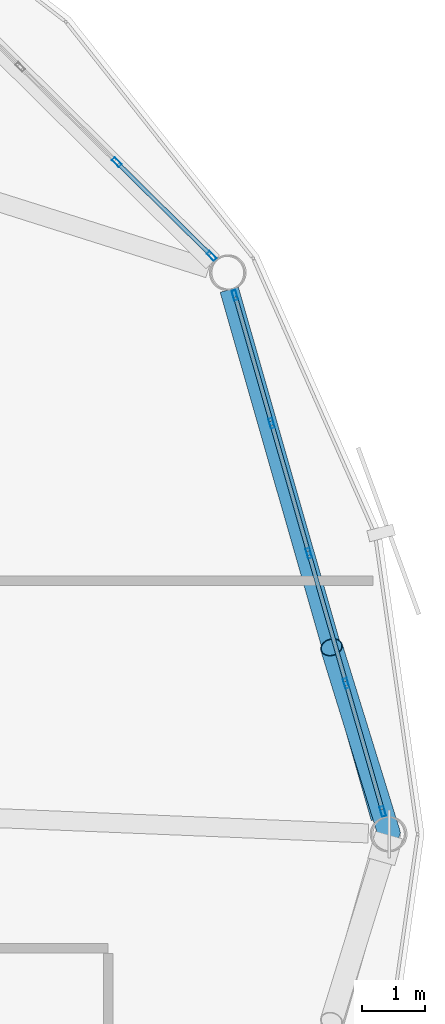
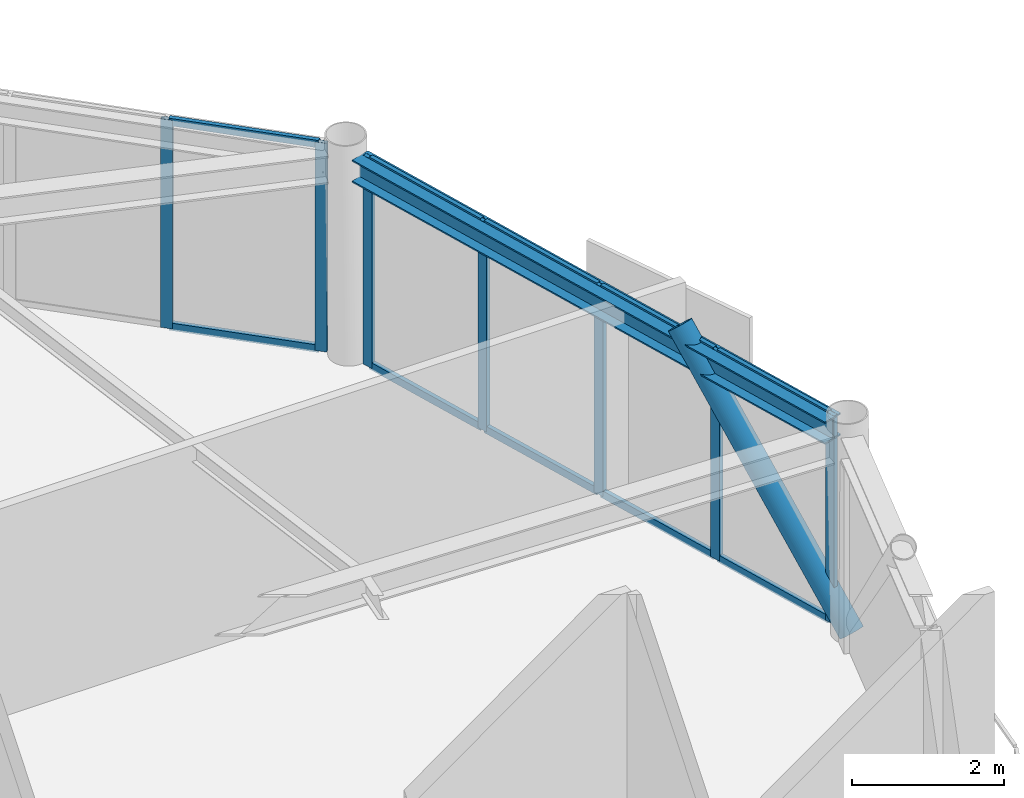
# One storey, part 16 of 26: 18 members, 1 beam, 2 elements without a shape of their own.
"""IFC4 building model written with IfcOpenShell, lengths in metres."""

import ifcopenshell
import ifcopenshell.guid

model = None  # the IFC model being written
_history = None  # IfcOwnerHistory: only IFC2X3 demands one
_inside = {}  # id of a spatial element -> (the spatial element, [elements in it])
_under = {}  # id of a project, library or spatial element -> (it, [spatial elements below it])
_declared = {}  # id of a project -> (the project, [libraries it declares])
_typed = {}  # id of a type object -> (the type object, [elements of that type])
_made_of = {}  # id of a material, layer set ... -> (it, [elements and type objects made of it])


def new_model(schema):
    """Start an empty IFC model of exactly this schema.

    Asked for "IFC4X3", IfcOpenShell would pick the latest addendum, in which some entities
    have other attributes; the version numbers below select the first issue.
    IFC2X3 requires an IfcOwnerHistory on every rooted entity: one is made here for all.
    """
    global model, _history
    if schema == "IFC4X3":
        model = ifcopenshell.file(schema_version=(4, 3, 0, 0))
    else:
        model = ifcopenshell.file(schema=schema)
    _inside.clear()
    _under.clear()
    _declared.clear()
    _typed.clear()
    _made_of.clear()
    _history = None
    if model.schema == "IFC2X3":
        org = make("IfcOrganization", Name="unknown")
        user = make(
            "IfcPersonAndOrganization",
            ThePerson=make("IfcPerson", FamilyName="unknown"),
            TheOrganization=org,
        )
        app = make(
            "IfcApplication",
            ApplicationDeveloper=org,
            Version="unknown",
            ApplicationFullName="unknown",
            ApplicationIdentifier="unknown",
        )
        _history = make(
            "IfcOwnerHistory",
            OwningUser=user,
            OwningApplication=app,
            ChangeAction="ADDED",
            CreationDate=0,
        )
    return model


def make(cls, **values):
    """One entity of the class cls with the attributes given. An attribute that is None is left unset."""
    return model.create_entity(
        cls, **{name: value for name, value in values.items() if value is not None}
    )


def rooted(cls, **values):
    """An entity with a GlobalId (a new one), such as an element, a storey or a relation."""
    return make(cls, GlobalId=ifcopenshell.guid.new(), OwnerHistory=_history, **values)


def si_unit(unit_type, name, prefix=None):
    """IfcSIUnit, for example si_unit("LENGTHUNIT", "METRE", prefix="MILLI")."""
    return make("IfcSIUnit", UnitType=unit_type, Prefix=prefix, Name=name)


def assignment(units):
    """IfcUnitAssignment: the units of a project."""
    return None if units is None else make("IfcUnitAssignment", Units=units)


def point(xyz):
    """IfcCartesianPoint."""
    return None if xyz is None else make("IfcCartesianPoint", Coordinates=xyz)


def direction(xyz):
    """IfcDirection."""
    return None if xyz is None else make("IfcDirection", DirectionRatios=xyz)


def frame(location, z_axis=None, x_axis=None):
    """IfcAxis2Placement3D, a coordinate frame: its origin and axes. An axis left out is left unset."""
    return make(
        "IfcAxis2Placement3D",
        Location=point(location),
        Axis=direction(z_axis),
        RefDirection=direction(x_axis),
    )


def frame_2d(location, x_axis=None):
    """IfcAxis2Placement2D, a coordinate frame in the plane: its origin and x axis."""
    return make(
        "IfcAxis2Placement2D", Location=point(location), RefDirection=direction(x_axis)
    )


def origin():
    """The frame at (0, 0, 0) with its axes left unset."""
    return frame((0.0, 0.0, 0.0))


def origin_2d():
    """The frame at (0, 0) in the plane with its x axis left unset."""
    return frame_2d((0.0, 0.0))


def place(relative_to, where):
    """IfcLocalPlacement: puts the frame where relative to a parent placement (None: the world)."""
    return make(
        "IfcLocalPlacement", PlacementRelTo=relative_to, RelativePlacement=where
    )


def context(
    kind, dimensions, precision=None, world=None, true_north=None, identifier=None
):
    """IfcGeometricRepresentationContext, for example the 3D "Model" context."""
    return make(
        "IfcGeometricRepresentationContext",
        ContextIdentifier=identifier,
        ContextType=kind,
        CoordinateSpaceDimension=dimensions,
        Precision=precision,
        WorldCoordinateSystem=world,
        TrueNorth=true_north,
    )


def subcontext(parent, identifier, kind, view, scale=None):
    """IfcGeometricRepresentationSubContext, for example "Body" below "Model"."""
    return make(
        "IfcGeometricRepresentationSubContext",
        ContextIdentifier=identifier,
        ContextType=kind,
        ParentContext=parent,
        TargetScale=scale,
        TargetView=view,
    )


def project(units=None, contexts=None):
    """IfcProject with its units and contexts."""
    return rooted(
        "IfcProject",
        Name="project",
        RepresentationContexts=contexts,
        UnitsInContext=assignment(units),
    )


def spatial(cls, under=None, at=None, **own):
    """A site, building, storey or space (cls), placed at a placement, below another one or the project."""
    s = rooted(cls, ObjectPlacement=at, **own)
    if under is not None:
        _under.setdefault(under.id(), (under, []))[1].append(s)
    return s


def profile(cls, at=None, kind="AREA", **sizes):
    """A parametric profile (cls). Its sizes go by their IFC names, for example OverallWidth=200.0."""
    return make(cls, ProfileType=kind, Position=at, **sizes)


def hollow_rectangle(**sizes):
    """IfcRectangleHollowProfileDef."""
    return profile("IfcRectangleHollowProfileDef", **sizes)


def hollow_circle(**sizes):
    """IfcCircleHollowProfileDef."""
    return profile("IfcCircleHollowProfileDef", **sizes)


def i_section(**sizes):
    """IfcIShapeProfileDef."""
    return profile("IfcIShapeProfileDef", **sizes)


def extrude(swept, where, along, depth):
    """IfcExtrudedAreaSolid: the profile swept, set in the frame where, extruded along a direction by depth."""
    return make(
        "IfcExtrudedAreaSolid",
        SweptArea=swept,
        Position=where,
        ExtrudedDirection=direction(along),
        Depth=depth,
    )


def shape(context_of_items, identifier, shape_type, items):
    """IfcShapeRepresentation: the items that make up one representation, for example the "Body"."""
    return make(
        "IfcShapeRepresentation",
        ContextOfItems=context_of_items,
        RepresentationIdentifier=identifier,
        RepresentationType=shape_type,
        Items=items,
    )


def material(Name=None, Category=None):
    """IfcMaterial."""
    return make("IfcMaterial", Name=Name, Category=Category)


def layer(
    of_material, thickness, ventilated=None, Name=None, Category=None, Priority=None
):
    """IfcMaterialLayer: one layer of a wall or slab, of a material (None: an air gap)."""
    return make(
        "IfcMaterialLayer",
        Material=of_material,
        LayerThickness=thickness,
        IsVentilated=ventilated,
        Name=Name,
        Category=Category,
        Priority=Priority,
    )


def layer_set(layers, Name=None):
    """IfcMaterialLayerSet."""
    return make("IfcMaterialLayerSet", MaterialLayers=layers, LayerSetName=Name)


def material_profile(
    of_material, cross_section, Name=None, Category=None, Priority=None
):
    """IfcMaterialProfile: a cross section and its material."""
    return make(
        "IfcMaterialProfile",
        Name=Name,
        Material=of_material,
        Profile=cross_section,
        Priority=Priority,
        Category=Category,
    )


def profile_set(profiles, Name=None, composite=None):
    """IfcMaterialProfileSet."""
    return make(
        "IfcMaterialProfileSet",
        Name=Name,
        MaterialProfiles=profiles,
        CompositeProfile=composite,
    )


def made_of(thing, what):
    """Note that an element or type object is made of a material, layer set ...; save() writes the relation."""
    if what is not None:
        _made_of.setdefault(what.id(), (what, []))[1].append(thing)
    return thing


def type_object(cls, material=None, **own):
    """A type object (cls), such as IfcWallType, which elements share."""
    return made_of(rooted(cls, **own), material)


def element(
    cls,
    number,
    at=None,
    inside=None,
    cuts=None,
    type_object=None,
    material=None,
    context=None,
    identifier="Body",
    shape_type=None,
    held_by="IfcProductDefinitionShape",
    body=None,
    shapes=None,
    **own,
):
    """One element of the class cls, such as IfcWall. Its Tag is "e" and its number.

    at: its placement. inside: the storey or other place that contains it. cuts: it is an
    opening in that element (IfcRelVoidsElement). A single representation is given by context,
    identifier, shape_type and body (its items); several are given by shapes. held_by: the class
    of the entity that holds the representations. save() writes the other relations.
    """
    e = rooted(cls, Tag="e%d" % number, ObjectPlacement=at, **own)
    if body is not None:
        shapes = [shape(context, identifier, shape_type, body)]
    if shapes is not None:
        e.Representation = make(held_by, Representations=shapes)
    if inside is not None:
        _inside.setdefault(inside.id(), (inside, []))[1].append(e)
    if cuts is not None:
        rooted(
            "IfcRelVoidsElement", RelatingBuildingElement=cuts, RelatedOpeningElement=e
        )
    if type_object is not None:
        _typed.setdefault(type_object.id(), (type_object, []))[1].append(e)
    return made_of(e, material)


def aggregate(whole, parts):
    """IfcRelAggregates: a whole, such as a stair, and the parts it consists of."""
    return rooted("IfcRelAggregates", RelatingObject=whole, RelatedObjects=parts)


def save(model, path):
    """Write the relations noted so far, then the file.

    IfcRelAggregates (storeys below a building ...), IfcRelContainedInSpatialStructure (elements
    in a storey), IfcRelDefinesByType, IfcRelAssociatesMaterial and IfcRelDeclares: one each for
    every whole, place, type object, material and project.
    """
    for whole, parts in _under.values():
        aggregate(whole, parts)
    for where, things in _inside.values():
        rooted(
            "IfcRelContainedInSpatialStructure",
            RelatedElements=things,
            RelatingStructure=where,
        )
    for kind, things in _typed.values():
        rooted("IfcRelDefinesByType", RelatedObjects=things, RelatingType=kind)
    for what, things in _made_of.values():
        rooted("IfcRelAssociatesMaterial", RelatedObjects=things, RelatingMaterial=what)
    for by, libraries in _declared.values():
        rooted("IfcRelDeclares", RelatingContext=by, RelatedDefinitions=libraries)
    model.write(path)


model = new_model("IFC4")

# Units and contexts
model_context = context("Model", 3, precision=1e-05, world=origin(), true_north=direction((0.0, 1.0)))
body_context = subcontext(model_context, "Body", "Model", "MODEL_VIEW")
ifc_project = project(units=[si_unit("LENGTHUNIT", "METRE"), si_unit("AREAUNIT", "SQUARE_METRE"), si_unit("VOLUMEUNIT", "CUBIC_METRE"), si_unit("PLANEANGLEUNIT", "RADIAN"), si_unit("MASSUNIT", "GRAM", prefix="KILO")], contexts=[model_context])

# Site, building, storey
site_placement = place(None, origin())
site = spatial("IfcSite", under=ifc_project, at=site_placement, CompositionType="ELEMENT")
building_placement = place(site_placement, origin())
building = spatial("IfcBuilding", under=site, at=building_placement, Name="Varnakorn Sky Granary", CompositionType="ELEMENT")
storey_placement = place(building_placement, frame((0.0, 0.0, 270.60009765625)))
storey = spatial("IfcBuildingStorey", under=building, at=storey_placement, Name="L69", CompositionType="ELEMENT", Elevation=270.60009765625)

# Beam
ifc_material_1 = material(Name="Steel S355JR", Category="steel")
ifc_material_profile_1 = material_profile(ifc_material_1, i_section(OverallWidth=0.300048828125, OverallDepth=0.360107421875, WebThickness=0.012451171875, FlangeThickness=0.0224609375, at=origin_2d()), Name="HE 360 B")
ifc_profile_set_1 = profile_set([ifc_material_profile_1], Name="Steel S355JR")
beam_type = type_object("IfcBeamType", Name="BM-SPD-Z5", PredefinedType="SPANDREL", material=ifc_profile_set_1)
beam_placement = place(storey_placement, frame((22.79833984375, 0.25439453125, 3.179931640625), z_axis=(-0.275014729466, 0.961440012989, 0.0), x_axis=(-0.961440012989, -0.275014729466, 0.0)))
element("IfcBeam", 1, at=beam_placement, inside=storey, type_object=beam_type, Name="Perimeter Spandrel Ring Beam RB01 L69", PredefinedType="SPANDREL", context=body_context, shape_type="SweptSolid", body=[
    extrude(i_section(OverallWidth=0.300048828125, OverallDepth=0.360107421875, WebThickness=0.012451171875, FlangeThickness=0.0224609375, at=origin_2d()), origin(), (0.0, 0.0, 1.0), 8.67578125),
])

# Curtain wall, members
ifc_material_2 = material(Name="Anodised Bronze Aluminium Alloy 6063-T6", Category="aluminium")
ifc_layer = layer(ifc_material_2, 0.159912109375, Name="Anodised Bronze Aluminium Alloy 6063-T6")
ifc_layer_set = layer_set([ifc_layer], Name="Anodised Bronze Aluminium Alloy 6063-T6")
curtain_wall_type = type_object("IfcCurtainWallType", Name="CW-OFF-1", PredefinedType="USERDEFINED", material=ifc_layer_set)
curtain_wall_1_placement = place(storey_placement, origin())
curtain_wall_1 = element("IfcCurtainWall", 2, at=curtain_wall_1_placement, inside=storey, type_object=curtain_wall_type, Name="Unitised Curtain Wall CW6 CW-L69-B01", ObjectType="CURTAIN WALL", PredefinedType="USERDEFINED")
ifc_material_profile_2 = material_profile(ifc_material_2, hollow_rectangle(XDim=0.06494140625, YDim=0.159912109375, WallThickness=0.00341796875, at=origin_2d()), Name="ALU MULL 65x160")
ifc_profile_set_2 = profile_set([ifc_material_profile_2], Name="Anodised Bronze Aluminium Alloy 6063-T6")
member_type_1 = type_object("IfcMemberType", Name="CW-OFF-1-MULL", PredefinedType="MULLION", material=ifc_profile_set_2)
member_1_placement = place(storey_placement, frame((20.5009765625, 8.50927734375, 0.0), z_axis=(0.0, 0.0, 1.0), x_axis=(0.96132319168, 0.275422804319, 0.0)))
member_1 = element("IfcMember", 3, at=member_1_placement, type_object=member_type_1, Name="CW6 mullion 1", PredefinedType="MULLION", context=body_context, shape_type="SweptSolid", body=[
    extrude(hollow_rectangle(XDim=0.06494140625, YDim=0.159912109375, WallThickness=0.00341796875, at=origin_2d()), origin(), (0.0, 0.0, 1.0), 3.35986328125),
])
member_2_placement = place(storey_placement, frame((21.08056640625, 6.487060546875, 0.0), z_axis=(0.0, 0.0, 1.0), x_axis=(0.96132319168, 0.275422804319, 0.0)))
member_2 = element("IfcMember", 4, at=member_2_placement, type_object=member_type_1, Name="CW6 mullion 2", PredefinedType="MULLION", context=body_context, shape_type="SweptSolid", body=[
    extrude(hollow_rectangle(XDim=0.06494140625, YDim=0.159912109375, WallThickness=0.00341796875, at=origin_2d()), origin(), (0.0, 0.0, 1.0), 3.35986328125),
])
member_3_placement = place(storey_placement, frame((21.668701171875, 4.43359375, 0.0), z_axis=(0.0, 0.0, 1.0), x_axis=(0.96132319168, 0.275422804319, 0.0)))
member_3 = element("IfcMember", 5, at=member_3_placement, type_object=member_type_1, Name="CW6 mullion 3", PredefinedType="MULLION", context=body_context, shape_type="SweptSolid", body=[
    extrude(hollow_rectangle(XDim=0.06494140625, YDim=0.159912109375, WallThickness=0.00341796875, at=origin_2d()), origin(), (0.0, 0.0, 1.0), 3.35986328125),
])
member_4_placement = place(storey_placement, frame((22.257080078125, 2.3798828125, 0.0), z_axis=(0.0, 0.0, 1.0), x_axis=(0.96132319168, 0.275422804319, 0.0)))
member_4 = element("IfcMember", 6, at=member_4_placement, type_object=member_type_1, Name="CW6 mullion 4", PredefinedType="MULLION", context=body_context, shape_type="SweptSolid", body=[
    extrude(hollow_rectangle(XDim=0.06494140625, YDim=0.159912109375, WallThickness=0.00341796875, at=origin_2d()), origin(), (0.0, 0.0, 1.0), 3.35986328125),
])
member_5_placement = place(storey_placement, frame((22.836669921875, 0.357666015625, 0.0), z_axis=(0.0, 0.0, 1.0), x_axis=(0.96132319168, 0.275422804319, 0.0)))
member_5 = element("IfcMember", 7, at=member_5_placement, type_object=member_type_1, Name="CW6 mullion 5", PredefinedType="MULLION", context=body_context, shape_type="SweptSolid", body=[
    extrude(hollow_rectangle(XDim=0.06494140625, YDim=0.159912109375, WallThickness=0.00341796875, at=origin_2d()), origin(), (0.0, 0.0, 1.0), 3.35986328125),
])

curtain_wall_2_placement = place(storey_placement, origin())
curtain_wall_2 = element("IfcCurtainWall", 8, at=curtain_wall_2_placement, inside=storey, type_object=curtain_wall_type, Name="Unitised Curtain Wall CW6 CW-L69-B02", ObjectType="CURTAIN WALL", PredefinedType="USERDEFINED")
member_6_placement = place(storey_placement, frame((18.635009765625, 10.609130859375, 0.0), z_axis=(0.0, 0.0, 1.0), x_axis=(0.702728935419, 0.711457689062, 0.0)))
member_6 = element("IfcMember", 9, at=member_6_placement, type_object=member_type_1, Name="CW6 mullion 4", PredefinedType="MULLION", context=body_context, shape_type="SweptSolid", body=[
    extrude(hollow_rectangle(XDim=0.06494140625, YDim=0.159912109375, WallThickness=0.00341796875, at=origin_2d()), origin(), (0.0, 0.0, 1.0), 3.35986328125),
])
member_7_placement = place(storey_placement, frame((20.134033203125, 9.12841796875, 0.0), z_axis=(0.0, 0.0, 1.0), x_axis=(0.702728935419, 0.711457689062, 0.0)))
member_7 = element("IfcMember", 10, at=member_7_placement, type_object=member_type_1, Name="CW6 mullion 5", PredefinedType="MULLION", context=body_context, shape_type="SweptSolid", body=[
    extrude(hollow_rectangle(XDim=0.06494140625, YDim=0.159912109375, WallThickness=0.00341796875, at=origin_2d()), origin(), (0.0, 0.0, 1.0), 3.35986328125),
])

# Member
ifc_material_profile_3 = material_profile(ifc_material_2, hollow_rectangle(XDim=0.06494140625, YDim=0.1201171875, WallThickness=0.00341796875, at=origin_2d()), Name="ALU TRAN 65x120")
ifc_profile_set_3 = profile_set([ifc_material_profile_3], Name="Anodised Bronze Aluminium Alloy 6063-T6")
member_type_2 = type_object("IfcMemberType", Name="CW-OFF-1-TRAN", PredefinedType="USERDEFINED", material=ifc_profile_set_3)
member_8_placement = place(storey_placement, frame((20.510009765625, 8.47802734375, 0.032470703125), z_axis=(0.275448649448, -0.961315786574, 0.0), x_axis=(0.961315786574, 0.275448649448, 0.0)))
member_8 = element("IfcMember", 11, at=member_8_placement, type_object=member_type_2, Name="CW6 transom 1.1", ObjectType="TRANSOM", PredefinedType="USERDEFINED", context=body_context, shape_type="SweptSolid", body=[
    extrude(hollow_rectangle(XDim=0.06494140625, YDim=0.1201171875, WallThickness=0.00341796875, at=origin_2d()), origin(), (0.0, 0.0, 1.0), 2.03857421875),
])

member_9_placement = place(storey_placement, frame((20.510009765625, 8.47802734375, 3.327392578125), z_axis=(0.275448649448, -0.961315786574, 0.0), x_axis=(0.961315786574, 0.275448649448, 0.0)))
member_9 = element("IfcMember", 12, at=member_9_placement, type_object=member_type_2, Name="CW6 transom 1.2", ObjectType="TRANSOM", PredefinedType="USERDEFINED", context=body_context, shape_type="SweptSolid", body=[
    extrude(hollow_rectangle(XDim=0.06494140625, YDim=0.1201171875, WallThickness=0.00341796875, at=origin_2d()), origin(), (0.0, 0.0, 1.0), 2.03857421875),
])

member_10_placement = place(storey_placement, frame((21.08935546875, 6.455810546875, 0.032470703125), z_axis=(0.275483920664, -0.961305679509, 0.0), x_axis=(0.961305679509, 0.275483920664, 0.0)))
member_10 = element("IfcMember", 13, at=member_10_placement, type_object=member_type_2, Name="CW6 transom 2.1", ObjectType="TRANSOM", PredefinedType="USERDEFINED", context=body_context, shape_type="SweptSolid", body=[
    extrude(hollow_rectangle(XDim=0.06494140625, YDim=0.1201171875, WallThickness=0.00341796875, at=origin_2d()), origin(), (0.0, 0.0, 1.0), 2.071044921875),
])

member_11_placement = place(storey_placement, frame((21.08935546875, 6.455810546875, 3.327392578125), z_axis=(0.275483920664, -0.961305679509, 0.0), x_axis=(0.961305679509, 0.275483920664, 0.0)))
member_11 = element("IfcMember", 14, at=member_11_placement, type_object=member_type_2, Name="CW6 transom 2.2", ObjectType="TRANSOM", PredefinedType="USERDEFINED", context=body_context, shape_type="SweptSolid", body=[
    extrude(hollow_rectangle(XDim=0.06494140625, YDim=0.1201171875, WallThickness=0.00341796875, at=origin_2d()), origin(), (0.0, 0.0, 1.0), 2.071044921875),
])

member_12_placement = place(storey_placement, frame((21.677734375, 4.40234375, 0.032470703125), z_axis=(0.275452706758, -0.961314624012, 0.0), x_axis=(0.961314624012, 0.275452706758, 0.0)))
member_12 = element("IfcMember", 15, at=member_12_placement, type_object=member_type_2, Name="CW6 transom 3.1", ObjectType="TRANSOM", PredefinedType="USERDEFINED", context=body_context, shape_type="SweptSolid", body=[
    extrude(hollow_rectangle(XDim=0.06494140625, YDim=0.1201171875, WallThickness=0.00341796875, at=origin_2d()), origin(), (0.0, 0.0, 1.0), 2.0712890625),
])

member_13_placement = place(storey_placement, frame((21.677734375, 4.40234375, 3.327392578125), z_axis=(0.275452706758, -0.961314624012, 0.0), x_axis=(0.961314624012, 0.275452706758, 0.0)))
member_13 = element("IfcMember", 16, at=member_13_placement, type_object=member_type_2, Name="CW6 transom 3.2", ObjectType="TRANSOM", PredefinedType="USERDEFINED", context=body_context, shape_type="SweptSolid", body=[
    extrude(hollow_rectangle(XDim=0.06494140625, YDim=0.1201171875, WallThickness=0.00341796875, at=origin_2d()), origin(), (0.0, 0.0, 1.0), 2.0712890625),
])

member_14_placement = place(storey_placement, frame((22.26611328125, 2.3486328125, 0.032470703125), z_axis=(0.275448649448, -0.961315786574, 0.0), x_axis=(0.961315786574, 0.275448649448, 0.0)))
member_14 = element("IfcMember", 17, at=member_14_placement, type_object=member_type_2, Name="CW6 transom 4.1", ObjectType="TRANSOM", PredefinedType="USERDEFINED", context=body_context, shape_type="SweptSolid", body=[
    extrude(hollow_rectangle(XDim=0.06494140625, YDim=0.1201171875, WallThickness=0.00341796875, at=origin_2d()), origin(), (0.0, 0.0, 1.0), 2.03857421875),
])

member_15_placement = place(storey_placement, frame((22.26611328125, 2.3486328125, 3.327392578125), z_axis=(0.275448649448, -0.961315786574, 0.0), x_axis=(0.961315786574, 0.275448649448, 0.0)))
member_15 = element("IfcMember", 18, at=member_15_placement, type_object=member_type_2, Name="CW6 transom 4.2", ObjectType="TRANSOM", PredefinedType="USERDEFINED", context=body_context, shape_type="SweptSolid", body=[
    extrude(hollow_rectangle(XDim=0.06494140625, YDim=0.1201171875, WallThickness=0.00341796875, at=origin_2d()), origin(), (0.0, 0.0, 1.0), 2.03857421875),
])

aggregate(curtain_wall_1, [member_1, member_2, member_3, member_4, member_5, member_8, member_9, member_10, member_11, member_12, member_13, member_14, member_15])

member_16_placement = place(storey_placement, frame((18.657958984375, 10.586181640625, 0.032470703125), z_axis=(0.711516757365, -0.702669128387, 0.0), x_axis=(0.702669128387, 0.711516757365, 0.0)))
member_16 = element("IfcMember", 19, at=member_16_placement, type_object=member_type_2, Name="CW6 transom 4.1", ObjectType="TRANSOM", PredefinedType="USERDEFINED", context=body_context, shape_type="SweptSolid", body=[
    extrude(hollow_rectangle(XDim=0.06494140625, YDim=0.1201171875, WallThickness=0.00341796875, at=origin_2d()), origin(), (0.0, 0.0, 1.0), 2.0419921875),
])

member_17_placement = place(storey_placement, frame((18.657958984375, 10.586181640625, 3.327392578125), z_axis=(0.711516757365, -0.702669128387, 0.0), x_axis=(0.702669128387, 0.711516757365, 0.0)))
member_17 = element("IfcMember", 20, at=member_17_placement, type_object=member_type_2, Name="CW6 transom 4.2", ObjectType="TRANSOM", PredefinedType="USERDEFINED", context=body_context, shape_type="SweptSolid", body=[
    extrude(hollow_rectangle(XDim=0.06494140625, YDim=0.1201171875, WallThickness=0.00341796875, at=origin_2d()), origin(), (0.0, 0.0, 1.0), 2.0419921875),
])

aggregate(curtain_wall_2, [member_6, member_7, member_16, member_17])

ifc_material_3 = material(Name="Steel S460M", Category="steel")
ifc_material_profile_4 = material_profile(ifc_material_3, hollow_circle(Radius=0.177734375, WallThickness=0.01416015625, at=origin_2d()), Name="CHS 355.6x14")
ifc_profile_set_4 = profile_set([ifc_material_profile_4], Name="Steel S460M")
member_type_3 = type_object("IfcMemberType", Name="MB-DIAG-T5", PredefinedType="BRACE", material=ifc_profile_set_4)
member_18_placement = place(storey_placement, frame((22.93896484375, 0.0, 0.0), z_axis=(-0.195687606788, 0.633063816015, 0.748956985015), x_axis=(-0.955396962308, -0.295324642408, 0.0)))
element("IfcMember", 21, at=member_18_placement, inside=storey, type_object=member_type_3, Name="Perimeter CHS Diagrid Brace DG01 L69", PredefinedType="BRACE", context=body_context, shape_type="SweptSolid", body=[
    extrude(hollow_circle(Radius=0.177734375, WallThickness=0.01416015625, at=origin_2d()), origin(), (0.0, 0.0, 1.0), 4.659912109375),
])

save(model, "model.ifc")
